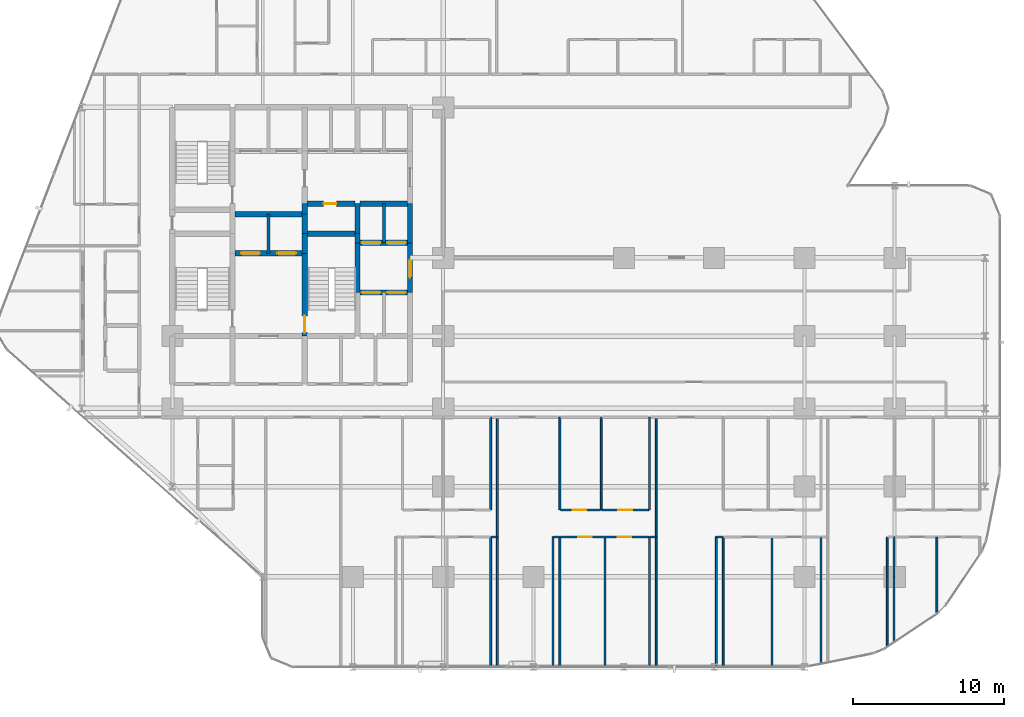
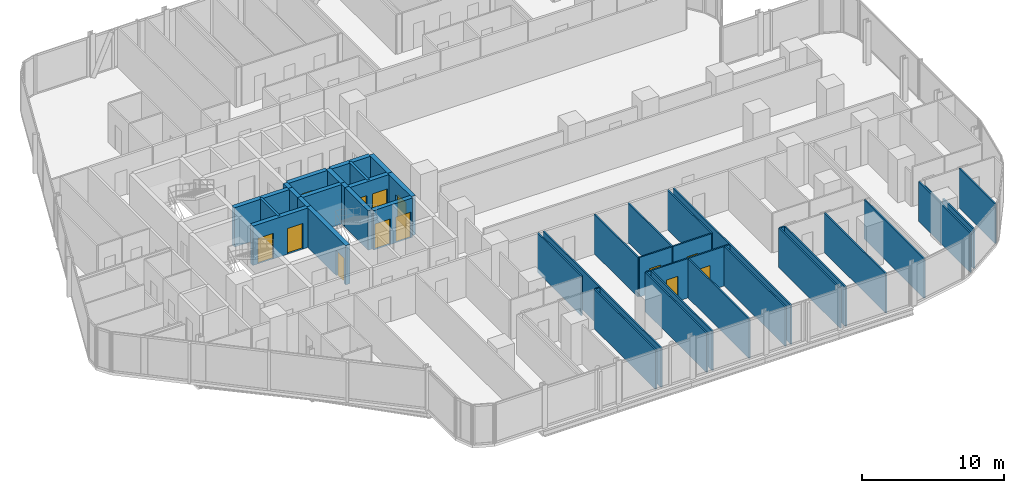
# One storey, part 28 of 34: 44 walls, 13 doors, 13 openings.
"""IFC4 building model written with IfcOpenShell, lengths in metres."""

from ifc_helpers import new_model, si_unit, direction, frame, frame_2d, origin, place, context, subcontext, project, spatial, rectangle, extrude, material, layer, layer_set, type_object, element, fill, save


model = new_model("IFC4")

# Units and contexts
model_context = context("Model", 3, precision=1e-05, world=origin(), true_north=direction((0.0, 1.0)))
body_context = subcontext(model_context, "Body", "Model", "MODEL_VIEW")
ifc_project = project(units=[si_unit("LENGTHUNIT", "METRE"), si_unit("AREAUNIT", "SQUARE_METRE"), si_unit("VOLUMEUNIT", "CUBIC_METRE"), si_unit("PLANEANGLEUNIT", "RADIAN"), si_unit("MASSUNIT", "GRAM", prefix="KILO")], contexts=[model_context])

# Site, building, storey
site_placement = place(None, origin())
site = spatial("IfcSite", under=ifc_project, at=site_placement, CompositionType="ELEMENT")
building_placement = place(site_placement, origin())
building = spatial("IfcBuilding", under=site, at=building_placement, Name="Keshet Zoharim Tower", CompositionType="ELEMENT")
storey_placement = place(building_placement, frame((0.0, 0.0, 38.800048828125)))
storey = spatial("IfcBuildingStorey", under=building, at=storey_placement, Name="L08", CompositionType="ELEMENT", Elevation=38.800048828125)

# Wall, opening, door
ifc_material_1 = material(Name="Concrete C60/75", Category="concrete")
ifc_layer_1 = layer(ifc_material_1, 0.35009765625)
ifc_layer_set_1 = layer_set([ifc_layer_1], Name="Concrete C60/75")
wall_type_1 = type_object("IfcWallType", Name="WL-CORE-350", PredefinedType="SHEAR", material=ifc_layer_set_1)
wall_1_placement = place(storey_placement, frame((23.800048828125, 22.699951171875, 0.0), z_axis=(0.0, 0.0, 1.0), x_axis=(0.0, 1.0, 0.0)))
wall_1 = element("IfcWall", 1, at=wall_1_placement, inside=storey, type_object=wall_type_1, Name="L08 Core Shear Wall 036", PredefinedType="SHEAR", context=body_context, shape_type="SweptSolid", body=[
    extrude(rectangle(XDim=5.5, YDim=0.35009765625, at=frame_2d((2.75, 0.0))), origin(), (0.0, 0.0, 1.0), 3.385009765625),
])
opening_1_placement = place(wall_1_placement, frame((0.235107421875, 0.0, 0.0)))
opening_1 = element("IfcOpeningElement", 2, at=opening_1_placement, cuts=wall_1, Name="Opening D-F611", PredefinedType="OPENING", context=body_context, shape_type="SweptSolid", body=[
    extrude(rectangle(XDim=1.10009765625, YDim=2.14990234375, at=frame_2d((0.550048828125, 1.074951171875))), frame((0.0, 0.18505859375, 0.0), z_axis=(0.0, -1.0, 0.0), x_axis=(1.0, 0.0, 0.0)), (0.0, 0.0, 1.0), 0.3701171875),
])
ifc_material_2 = material(Name="Hardwood Timber", Category="wood")
door_type_1 = type_object("IfcDoorType", Name="DR-FD60-110", OperationType="NOTDEFINED", PredefinedType="DOOR", material=ifc_material_2)
door_1_placement = place(opening_1_placement, frame((1.10009765625, 0.0, 0.0), z_axis=(0.0, 0.0, 1.0), x_axis=(-1.0, 0.0, 0.0)))
door_1 = element("IfcDoor", 3, at=door_1_placement, inside=storey, type_object=door_type_1, Name="L08 Exit Stair ST-03 Fire Door", OperationType="SINGLE_SWING_LEFT", OverallHeight=2.14990234375, OverallWidth=1.10009765625, PredefinedType="DOOR", context=body_context, shape_type="SweptSolid", body=[
    extrude(rectangle(XDim=1.10009765625, YDim=2.14990234375, at=frame_2d((0.550048828125, 1.074951171875))), frame((0.0, 0.02490234375, 0.0), z_axis=(0.0, -1.0, 0.0), x_axis=(1.0, 0.0, 0.0)), (0.0, 0.0, 1.0), 0.050048828125),
])
fill(opening_1, door_1)

# Walls
for number, where, z_axis, x_axis, name in (
    (4, (23.800048828125, 28.199951171875, 0.0), (0.0, 0.0, 1.0), (0.0, 1.0, 0.0), "L08 Core Shear Wall 037"),
    (5, (23.800048828125, 29.5, 0.0), (0.0, 0.0, 1.0), (0.0, 1.0, 0.0), "L08 Core Shear Wall 038"),
):
    element("IfcWall", number, at=place(storey_placement, frame(where, z_axis=z_axis, x_axis=x_axis)), inside=storey, type_object=wall_type_1, Name=name, PredefinedType="SHEAR", context=body_context, shape_type="SweptSolid", body=[
        extrude(rectangle(XDim=1.300048828125, YDim=0.35009765625, at=frame_2d((0.64990234375, 0.0))), origin(), (0.0, 0.0, 1.0), 3.385009765625),
    ])
wall_2_placement = place(storey_placement, frame((23.800048828125, 30.800048828125, 0.0), z_axis=(0.0, 0.0, 1.0), x_axis=(0.0, 1.0, 0.0)))
element("IfcWall", 6, at=wall_2_placement, inside=storey, type_object=wall_type_1, Name="L08 Core Shear Wall 039", PredefinedType="SHEAR", context=body_context, shape_type="SweptSolid", body=[
    extrude(rectangle(XDim=0.699951171875, YDim=0.35009765625, at=frame_2d((0.35009765625, 0.0))), origin(), (0.0, 0.0, 1.0), 3.385009765625),
])
wall_3_placement = place(storey_placement, frame((27.300048828125, 25.60009765625, 0.0), z_axis=(0.0, 0.0, 1.0), x_axis=(0.0, 1.0, 0.0)))
element("IfcWall", 7, at=wall_3_placement, inside=storey, type_object=wall_type_1, Name="L08 Core Shear Wall 047", PredefinedType="SHEAR", context=body_context, shape_type="SweptSolid", body=[
    extrude(rectangle(XDim=3.2998046875, YDim=0.35009765625, at=frame_2d((1.64990234375, 0.0))), origin(), (0.0, 0.0, 1.0), 3.385009765625),
])
wall_4_placement = place(storey_placement, frame((27.300048828125, 28.89990234375, 0.0), z_axis=(0.0, 0.0, 1.0), x_axis=(0.0, 1.0, 0.0)))
element("IfcWall", 8, at=wall_4_placement, inside=storey, type_object=wall_type_1, Name="L08 Core Shear Wall 048", PredefinedType="SHEAR", context=body_context, shape_type="SweptSolid", body=[
    extrude(rectangle(XDim=0.60009765625, YDim=0.35009765625, at=frame_2d((0.300048828125, 0.0))), origin(), (0.0, 0.0, 1.0), 3.385009765625),
])
wall_5_placement = place(storey_placement, frame((27.300048828125, 29.5, 0.0), z_axis=(0.0, 0.0, 1.0), x_axis=(0.0, 1.0, 0.0)))
element("IfcWall", 9, at=wall_5_placement, inside=storey, type_object=wall_type_1, Name="L08 Core Shear Wall 049", PredefinedType="SHEAR", context=body_context, shape_type="SweptSolid", body=[
    extrude(rectangle(XDim=2.0, YDim=0.35009765625, at=frame_2d((1.0, 0.0))), origin(), (0.0, 0.0, 1.0), 3.385009765625),
])

# Wall, opening, door
wall_6_placement = place(storey_placement, frame((30.800048828125, 25.60009765625, 0.0), z_axis=(0.0, 0.0, 1.0), x_axis=(0.0, 1.0, 0.0)))
wall_6 = element("IfcWall", 10, at=wall_6_placement, inside=storey, type_object=wall_type_1, Name="L08 Core Shear Wall 063", PredefinedType="SHEAR", context=body_context, shape_type="SweptSolid", body=[
    extrude(rectangle(XDim=3.2998046875, YDim=0.35009765625, at=frame_2d((1.64990234375, 0.0))), origin(), (0.0, 0.0, 1.0), 3.385009765625),
])
opening_2_placement = place(wall_6_placement, frame((0.97802734375, 0.0, 0.0)))
opening_2 = element("IfcOpeningElement", 11, at=opening_2_placement, cuts=wall_6, Name="Opening D-F612", PredefinedType="OPENING", context=body_context, shape_type="SweptSolid", body=[
    extrude(rectangle(XDim=1.199951171875, YDim=2.199951171875, at=frame_2d((0.60009765625, 1.10009765625))), frame((0.0, 0.18505859375, 0.0), z_axis=(0.0, -1.0, 0.0), x_axis=(1.0, 0.0, 0.0)), (0.0, 0.0, 1.0), 0.3701171875),
])
door_type_2 = type_object("IfcDoorType", Name="DR-FD60-120", OperationType="NOTDEFINED", PredefinedType="DOOR", material=ifc_material_2)
door_2_placement = place(opening_2_placement, origin())
door_2 = element("IfcDoor", 12, at=door_2_placement, inside=storey, type_object=door_type_2, Name="L08 East Lift Lobby Fire Door", OperationType="SINGLE_SWING_LEFT", OverallHeight=2.199951171875, OverallWidth=1.199951171875, PredefinedType="DOOR", context=body_context, shape_type="SweptSolid", body=[
    extrude(rectangle(XDim=1.199951171875, YDim=2.199951171875, at=frame_2d((0.60009765625, 1.10009765625))), frame((0.0, 0.02490234375, 0.0), z_axis=(0.0, -1.0, 0.0), x_axis=(1.0, 0.0, 0.0)), (0.0, 0.0, 1.0), 0.050048828125),
])
fill(opening_2, door_2)

# Wall
wall_7_placement = place(storey_placement, frame((30.800048828125, 28.89990234375, 0.0), z_axis=(0.0, 0.0, 1.0), x_axis=(0.0, 1.0, 0.0)))
element("IfcWall", 13, at=wall_7_placement, inside=storey, type_object=wall_type_1, Name="L08 Core Shear Wall 064", PredefinedType="SHEAR", context=body_context, shape_type="SweptSolid", body=[
    extrude(rectangle(XDim=2.60009765625, YDim=0.35009765625, at=frame_2d((1.300048828125, 0.0))), origin(), (0.0, 0.0, 1.0), 3.385009765625),
])

# Wall, openings, doors
wall_8_placement = place(storey_placement, frame((27.4599609375, 25.60009765625, 0.0), z_axis=(0.0, 0.0, 1.0), x_axis=(1.0, 0.0, 0.0)))
wall_8 = element("IfcWall", 14, at=wall_8_placement, inside=storey, type_object=wall_type_1, Name="L08 Core Shear Wall 174", PredefinedType="SHEAR", context=body_context, shape_type="SweptSolid", body=[
    extrude(rectangle(XDim=3.179931640625, YDim=0.35009765625, at=frame_2d((1.58984375, 0.0))), origin(), (0.0, 0.0, 1.0), 3.385009765625),
])
opening_3_placement = place(wall_8_placement, frame((0.1201171875, 0.0, 0.0)))
opening_3 = element("IfcOpeningElement", 15, at=opening_3_placement, cuts=wall_8, Name="Opening LD-01", PredefinedType="OPENING", context=body_context, shape_type="SweptSolid", body=[
    extrude(rectangle(XDim=1.25, YDim=2.199951171875, at=frame_2d((0.625, 1.10009765625))), frame((0.0, 0.18505859375, 0.0), z_axis=(0.0, -1.0, 0.0), x_axis=(1.0, 0.0, 0.0)), (0.0, 0.0, 1.0), 0.3701171875),
])
opening_4_placement = place(wall_8_placement, frame((1.81005859375, 0.0, 0.0)))
opening_4 = element("IfcOpeningElement", 16, at=opening_4_placement, cuts=wall_8, Name="Opening LD-01", PredefinedType="OPENING", context=body_context, shape_type="SweptSolid", body=[
    extrude(rectangle(XDim=1.25, YDim=2.199951171875, at=frame_2d((0.625, 1.10009765625))), frame((0.0, 0.18505859375, 0.0), z_axis=(0.0, -1.0, 0.0), x_axis=(1.0, 0.0, 0.0)), (0.0, 0.0, 1.0), 0.3701171875),
])
ifc_material_3 = material(Name="Steel S355", Category="steel")
door_type_3 = type_object("IfcDoorType", Name="DR-LD01-125", OperationType="DOUBLE_DOOR_SLIDING", PredefinedType="DOOR", material=ifc_material_3)
door_3_placement = place(opening_3_placement, origin())
door_3 = element("IfcDoor", 17, at=door_3_placement, inside=storey, type_object=door_type_3, Name="L08 Passenger Lift Landing Door LF-07", OperationType="DOUBLE_DOOR_SLIDING", OverallHeight=2.199951171875, OverallWidth=1.25, PredefinedType="DOOR", context=body_context, shape_type="SweptSolid", body=[
    extrude(rectangle(XDim=1.25, YDim=2.199951171875, at=frame_2d((0.625, 1.10009765625))), frame((0.0, 0.02490234375, 0.0), z_axis=(0.0, -1.0, 0.0), x_axis=(1.0, 0.0, 0.0)), (0.0, 0.0, 1.0), 0.050048828125),
])
fill(opening_3, door_3)
door_4_placement = place(opening_4_placement, origin())
door_4 = element("IfcDoor", 18, at=door_4_placement, inside=storey, type_object=door_type_3, Name="L08 Passenger Lift Landing Door LF-08", OperationType="DOUBLE_DOOR_SLIDING", OverallHeight=2.199951171875, OverallWidth=1.25, PredefinedType="DOOR", context=body_context, shape_type="SweptSolid", body=[
    extrude(rectangle(XDim=1.25, YDim=2.199951171875, at=frame_2d((0.625, 1.10009765625))), frame((0.0, 0.02490234375, 0.0), z_axis=(0.0, -1.0, 0.0), x_axis=(1.0, 0.0, 0.0)), (0.0, 0.0, 1.0), 0.050048828125),
])
fill(opening_4, door_4)

wall_9_placement = place(storey_placement, frame((19.159912109375, 28.199951171875, 0.0), z_axis=(0.0, 0.0, 1.0), x_axis=(1.0, 0.0, 0.0)))
wall_9 = element("IfcWall", 19, at=wall_9_placement, inside=storey, type_object=wall_type_1, Name="L08 Core Shear Wall 179", PredefinedType="SHEAR", context=body_context, shape_type="SweptSolid", body=[
    extrude(rectangle(XDim=4.47998046875, YDim=0.35009765625, at=frame_2d((2.239990234375, 0.0))), origin(), (0.0, 0.0, 1.0), 3.385009765625),
])
opening_5_placement = place(wall_9_placement, frame((0.4150390625, 0.0, 0.0)))
opening_5 = element("IfcOpeningElement", 20, at=opening_5_placement, cuts=wall_9, Name="Opening LD-01", PredefinedType="OPENING", context=body_context, shape_type="SweptSolid", body=[
    extrude(rectangle(XDim=1.25, YDim=2.199951171875, at=frame_2d((0.625, 1.10009765625))), frame((0.0, 0.18505859375, 0.0), z_axis=(0.0, -1.0, 0.0), x_axis=(1.0, 0.0, 0.0)), (0.0, 0.0, 1.0), 0.3701171875),
])
opening_6_placement = place(wall_9_placement, frame((2.81494140625, 0.0, 0.0)))
opening_6 = element("IfcOpeningElement", 21, at=opening_6_placement, cuts=wall_9, Name="Opening LD-01", PredefinedType="OPENING", context=body_context, shape_type="SweptSolid", body=[
    extrude(rectangle(XDim=1.25, YDim=2.199951171875, at=frame_2d((0.625, 1.10009765625))), frame((0.0, 0.18505859375, 0.0), z_axis=(0.0, -1.0, 0.0), x_axis=(1.0, 0.0, 0.0)), (0.0, 0.0, 1.0), 0.3701171875),
])
door_5_placement = place(opening_5_placement, origin())
door_5 = element("IfcDoor", 22, at=door_5_placement, inside=storey, type_object=door_type_3, Name="L08 Passenger Lift Landing Door LF-09", OperationType="DOUBLE_DOOR_SLIDING", OverallHeight=2.199951171875, OverallWidth=1.25, PredefinedType="DOOR", context=body_context, shape_type="SweptSolid", body=[
    extrude(rectangle(XDim=1.25, YDim=2.199951171875, at=frame_2d((0.625, 1.10009765625))), frame((0.0, 0.02490234375, 0.0), z_axis=(0.0, -1.0, 0.0), x_axis=(1.0, 0.0, 0.0)), (0.0, 0.0, 1.0), 0.050048828125),
])
fill(opening_5, door_5)
door_6_placement = place(opening_6_placement, origin())
door_6 = element("IfcDoor", 23, at=door_6_placement, inside=storey, type_object=door_type_3, Name="L08 Passenger Lift Landing Door LF-10", OperationType="DOUBLE_DOOR_SLIDING", OverallHeight=2.199951171875, OverallWidth=1.25, PredefinedType="DOOR", context=body_context, shape_type="SweptSolid", body=[
    extrude(rectangle(XDim=1.25, YDim=2.199951171875, at=frame_2d((0.625, 1.10009765625))), frame((0.0, 0.02490234375, 0.0), z_axis=(0.0, -1.0, 0.0), x_axis=(1.0, 0.0, 0.0)), (0.0, 0.0, 1.0), 0.050048828125),
])
fill(opening_6, door_6)

wall_10_placement = place(storey_placement, frame((27.4599609375, 28.89990234375, 0.0), z_axis=(0.0, 0.0, 1.0), x_axis=(1.0, 0.0, 0.0)))
wall_10 = element("IfcWall", 24, at=wall_10_placement, inside=storey, type_object=wall_type_1, Name="L08 Core Shear Wall 184", PredefinedType="SHEAR", context=body_context, shape_type="SweptSolid", body=[
    extrude(rectangle(XDim=3.179931640625, YDim=0.35009765625, at=frame_2d((1.58984375, 0.0))), origin(), (0.0, 0.0, 1.0), 3.385009765625),
])
opening_7_placement = place(wall_10_placement, frame((0.1201171875, 0.0, 0.0)))
opening_7 = element("IfcOpeningElement", 25, at=opening_7_placement, cuts=wall_10, Name="Opening LD-01", PredefinedType="OPENING", context=body_context, shape_type="SweptSolid", body=[
    extrude(rectangle(XDim=1.25, YDim=2.199951171875, at=frame_2d((0.625, 1.10009765625))), frame((0.0, 0.18505859375, 0.0), z_axis=(0.0, -1.0, 0.0), x_axis=(1.0, 0.0, 0.0)), (0.0, 0.0, 1.0), 0.3701171875),
])
opening_8_placement = place(wall_10_placement, frame((1.81005859375, 0.0, 0.0)))
opening_8 = element("IfcOpeningElement", 26, at=opening_8_placement, cuts=wall_10, Name="Opening LD-01", PredefinedType="OPENING", context=body_context, shape_type="SweptSolid", body=[
    extrude(rectangle(XDim=1.25, YDim=2.199951171875, at=frame_2d((0.625, 1.10009765625))), frame((0.0, 0.18505859375, 0.0), z_axis=(0.0, -1.0, 0.0), x_axis=(1.0, 0.0, 0.0)), (0.0, 0.0, 1.0), 0.3701171875),
])
door_7_placement = place(opening_7_placement, origin())
door_7 = element("IfcDoor", 27, at=door_7_placement, inside=storey, type_object=door_type_3, Name="L08 Passenger Lift Landing Door LF-05", OperationType="DOUBLE_DOOR_SLIDING", OverallHeight=2.199951171875, OverallWidth=1.25, PredefinedType="DOOR", context=body_context, shape_type="SweptSolid", body=[
    extrude(rectangle(XDim=1.25, YDim=2.199951171875, at=frame_2d((0.625, 1.10009765625))), frame((0.0, 0.02490234375, 0.0), z_axis=(0.0, -1.0, 0.0), x_axis=(1.0, 0.0, 0.0)), (0.0, 0.0, 1.0), 0.050048828125),
])
fill(opening_7, door_7)
door_8_placement = place(opening_8_placement, origin())
door_8 = element("IfcDoor", 28, at=door_8_placement, inside=storey, type_object=door_type_3, Name="L08 Passenger Lift Landing Door LF-06", OperationType="DOUBLE_DOOR_SLIDING", OverallHeight=2.199951171875, OverallWidth=1.25, PredefinedType="DOOR", context=body_context, shape_type="SweptSolid", body=[
    extrude(rectangle(XDim=1.25, YDim=2.199951171875, at=frame_2d((0.625, 1.10009765625))), frame((0.0, 0.02490234375, 0.0), z_axis=(0.0, -1.0, 0.0), x_axis=(1.0, 0.0, 0.0)), (0.0, 0.0, 1.0), 0.050048828125),
])
fill(opening_8, door_8)

# Walls
wall_11_placement = place(storey_placement, frame((23.9599609375, 29.5, 0.0), z_axis=(0.0, 0.0, 1.0), x_axis=(1.0, 0.0, 0.0)))
element("IfcWall", 29, at=wall_11_placement, inside=storey, type_object=wall_type_1, Name="L08 Core Shear Wall 186", PredefinedType="SHEAR", context=body_context, shape_type="SweptSolid", body=[
    extrude(rectangle(XDim=3.179931640625, YDim=0.35009765625, at=frame_2d((1.58984375, 0.0))), origin(), (0.0, 0.0, 1.0), 3.385009765625),
])
wall_12_placement = place(storey_placement, frame((19.159912109375, 30.800048828125, 0.0), z_axis=(0.0, 0.0, 1.0), x_axis=(1.0, 0.0, 0.0)))
element("IfcWall", 30, at=wall_12_placement, inside=storey, type_object=wall_type_1, Name="L08 Core Shear Wall 187", PredefinedType="SHEAR", context=body_context, shape_type="SweptSolid", body=[
    extrude(rectangle(XDim=4.47998046875, YDim=0.35009765625, at=frame_2d((2.239990234375, 0.0))), origin(), (0.0, 0.0, 1.0), 3.385009765625),
])

# Wall, opening, door
wall_13_placement = place(storey_placement, frame((23.9599609375, 31.5, 0.0), z_axis=(0.0, 0.0, 1.0), x_axis=(1.0, 0.0, 0.0)))
wall_13 = element("IfcWall", 31, at=wall_13_placement, inside=storey, type_object=wall_type_1, Name="L08 Core Shear Wall 191", PredefinedType="SHEAR", context=body_context, shape_type="SweptSolid", body=[
    extrude(rectangle(XDim=3.179931640625, YDim=0.35009765625, at=frame_2d((1.58984375, 0.0))), origin(), (0.0, 0.0, 1.0), 3.385009765625),
])
opening_9_placement = place(wall_13_placement, frame((1.093994140625, 0.0, 0.0)))
opening_9 = element("IfcOpeningElement", 32, at=opening_9_placement, cuts=wall_13, Name="Opening D-RS85", PredefinedType="OPENING", context=body_context, shape_type="SweptSolid", body=[
    extrude(rectangle(XDim=0.85009765625, YDim=2.10009765625, at=frame_2d((0.425048828125, 1.050048828125))), frame((0.0, 0.18505859375, 0.0), z_axis=(0.0, -1.0, 0.0), x_axis=(1.0, 0.0, 0.0)), (0.0, 0.0, 1.0), 0.3701171875),
])
door_type_4 = type_object("IfcDoorType", Name="DR-RIS-085", OperationType="NOTDEFINED", PredefinedType="DOOR", material=ifc_material_2)
door_9_placement = place(opening_9_placement, origin())
door_9 = element("IfcDoor", 33, at=door_9_placement, inside=storey, type_object=door_type_4, Name="L08 Telecom Riser Access Cupboard Door", OperationType="SINGLE_SWING_LEFT", OverallHeight=2.10009765625, OverallWidth=0.85009765625, PredefinedType="DOOR", context=body_context, shape_type="SweptSolid", body=[
    extrude(rectangle(XDim=0.85009765625, YDim=2.10009765625, at=frame_2d((0.425048828125, 1.050048828125))), frame((0.0, 0.02490234375, 0.0), z_axis=(0.0, -1.0, 0.0), x_axis=(1.0, 0.0, 0.0)), (0.0, 0.0, 1.0), 0.050048828125),
])
fill(opening_9, door_9)

# Walls
wall_14_placement = place(storey_placement, frame((27.4599609375, 31.5, 0.0), z_axis=(0.0, 0.0, 1.0), x_axis=(1.0, 0.0, 0.0)))
element("IfcWall", 34, at=wall_14_placement, inside=storey, type_object=wall_type_1, Name="L08 Core Shear Wall 192", PredefinedType="SHEAR", context=body_context, shape_type="SweptSolid", body=[
    extrude(rectangle(XDim=3.179931640625, YDim=0.35009765625, at=frame_2d((1.58984375, 0.0))), origin(), (0.0, 0.0, 1.0), 3.385009765625),
])
ifc_material_4 = material(Name="Concrete C50/60", Category="concrete")
ifc_layer_2 = layer(ifc_material_4, 0.199951171875)
ifc_layer_set_2 = layer_set([ifc_layer_2], Name="Concrete C50/60")
wall_type_2 = type_object("IfcWallType", Name="WL-FIRE-200", PredefinedType="STANDARD", material=ifc_layer_set_2)
for number, where, z_axis, x_axis, name in (
    (35, (21.39990234375, 28.199951171875, 0.0), (0.0, 0.0, 1.0), (0.0, 1.0, 0.0), "L08 Interior Wall 031"),
    (36, (29.050048828125, 28.89990234375, 0.0), (0.0, 0.0, 1.0), (0.0, 1.0, 0.0), "L08 Interior Wall 056"),
):
    element("IfcWall", number, at=place(storey_placement, frame(where, z_axis=z_axis, x_axis=x_axis)), inside=storey, type_object=wall_type_2, Name=name, PredefinedType="STANDARD", context=body_context, shape_type="SweptSolid", body=[
        extrude(rectangle(XDim=2.60009765625, YDim=0.199951171875, at=frame_2d((1.300048828125, 0.0))), origin(), (0.0, 0.0, 1.0), 3.385009765625),
    ])
ifc_material_5 = material(Name="Gypsum Plasterboard", Category="gypsum")
ifc_layer_3 = layer(ifc_material_5, 0.1201171875)
ifc_layer_set_3 = layer_set([ifc_layer_3], Name="Gypsum Plasterboard")
wall_type_3 = type_object("IfcWallType", Name="WL-PART-120", PredefinedType="PARTITIONING", material=ifc_layer_set_3)
wall_15_placement = place(storey_placement, frame((36.14990234375, 0.7099609375, 0.0), z_axis=(0.0, 0.0, 1.0), x_axis=(0.0, 1.0, 0.0)))
element("IfcWall", 37, at=wall_15_placement, inside=storey, type_object=wall_type_3, Name="L08 Interior Wall 076", PredefinedType="PARTITIONING", context=body_context, shape_type="SweptSolid", body=[
    extrude(rectangle(XDim=8.64013671875, YDim=0.1201171875, at=frame_2d((4.320068359375, 0.0))), origin(), (0.0, 0.0, 1.0), 3.385009765625),
])
wall_16_placement = place(storey_placement, frame((36.60009765625, 0.7099609375, 0.0), z_axis=(0.0, 0.0, 1.0), x_axis=(0.0, 1.0, 0.0)))
element("IfcWall", 38, at=wall_16_placement, inside=storey, type_object=wall_type_3, Name="L08 Interior Wall 079", PredefinedType="PARTITIONING", context=body_context, shape_type="SweptSolid", body=[
    extrude(rectangle(XDim=16.590087890625, YDim=0.1201171875, at=frame_2d((8.294921875, 0.0))), origin(), (0.0, 0.0, 1.0), 3.385009765625),
])
for number, where, z_axis, x_axis, name in (
    (39, (40.300048828125, 0.7099609375, 0.0), (0.0, 0.0, 1.0), (0.0, 1.0, 0.0), "L08 Interior Wall 080"),
    (40, (40.75, 0.7099609375, 0.0), (0.0, 0.0, 1.0), (0.0, 1.0, 0.0), "L08 Interior Wall 081"),
):
    element("IfcWall", number, at=place(storey_placement, frame(where, z_axis=z_axis, x_axis=x_axis)), inside=storey, type_object=wall_type_3, Name=name, PredefinedType="PARTITIONING", context=body_context, shape_type="SweptSolid", body=[
        extrude(rectangle(XDim=8.64013671875, YDim=0.1201171875, at=frame_2d((4.320068359375, 0.0))), origin(), (0.0, 0.0, 1.0), 3.385009765625),
    ])
wall_17_placement = place(storey_placement, frame((40.75, 11.14990234375, 0.0), z_axis=(0.0, 0.0, 1.0), x_axis=(0.0, 1.0, 0.0)))
element("IfcWall", 41, at=wall_17_placement, inside=storey, type_object=wall_type_3, Name="L08 Interior Wall 082", PredefinedType="PARTITIONING", context=body_context, shape_type="SweptSolid", body=[
    extrude(rectangle(XDim=6.150146484375, YDim=0.1201171875, at=frame_2d((3.0751953125, 0.0))), origin(), (0.0, 0.0, 1.0), 3.385009765625),
])
for number, where, z_axis, x_axis, name in (
    (42, (43.75, 0.7099609375, 0.0), (0.0, 0.0, 1.0), (0.0, 1.0, 0.0), "L08 Interior Wall 088"),
    (43, (46.699951171875, 0.7099609375, 0.0), (0.0, 0.0, 1.0), (0.0, 1.0, 0.0), "L08 Interior Wall 091"),
):
    element("IfcWall", number, at=place(storey_placement, frame(where, z_axis=z_axis, x_axis=x_axis)), inside=storey, type_object=wall_type_3, Name=name, PredefinedType="PARTITIONING", context=body_context, shape_type="SweptSolid", body=[
        extrude(rectangle(XDim=8.64013671875, YDim=0.1201171875, at=frame_2d((4.320068359375, 0.0))), origin(), (0.0, 0.0, 1.0), 3.385009765625),
    ])
wall_18_placement = place(storey_placement, frame((47.14990234375, 0.7099609375, 0.0), z_axis=(0.0, 0.0, 1.0), x_axis=(0.0, 1.0, 0.0)))
element("IfcWall", 44, at=wall_18_placement, inside=storey, type_object=wall_type_3, Name="L08 Interior Wall 093", PredefinedType="PARTITIONING", context=body_context, shape_type="SweptSolid", body=[
    extrude(rectangle(XDim=16.590087890625, YDim=0.1201171875, at=frame_2d((8.294921875, 0.0))), origin(), (0.0, 0.0, 1.0), 3.385009765625),
])
for number, where, z_axis, x_axis, name in (
    (45, (51.14990234375, 0.7099609375, 0.0), (0.0, 0.0, 1.0), (0.0, 1.0, 0.0), "L08 Interior Wall 097"),
    (46, (51.60009765625, 0.7099609375, 0.0), (0.0, 0.0, 1.0), (0.0, 1.0, 0.0), "L08 Interior Wall 098"),
    (47, (54.85009765625, 0.7099609375, 0.0), (0.0, 0.0, 1.0), (0.0, 1.0, 0.0), "L08 Interior Wall 103"),
):
    element("IfcWall", number, at=place(storey_placement, frame(where, z_axis=z_axis, x_axis=x_axis)), inside=storey, type_object=wall_type_3, Name=name, PredefinedType="PARTITIONING", context=body_context, shape_type="SweptSolid", body=[
        extrude(rectangle(XDim=8.64013671875, YDim=0.1201171875, at=frame_2d((4.320068359375, 0.0))), origin(), (0.0, 0.0, 1.0), 3.385009765625),
    ])
wall_19_placement = place(storey_placement, frame((58.10009765625, 0.927978515625, 0.0), z_axis=(0.0, 0.0, 1.0), x_axis=(0.0, 1.0, 0.0)))
element("IfcWall", 48, at=wall_19_placement, inside=storey, type_object=wall_type_3, Name="L08 Interior Wall 106", PredefinedType="PARTITIONING", context=body_context, shape_type="SweptSolid", body=[
    extrude(rectangle(XDim=8.422119140625, YDim=0.1201171875, at=frame_2d((4.2109375, 0.0))), origin(), (0.0, 0.0, 1.0), 3.385009765625),
])
wall_20_placement = place(storey_placement, frame((62.5, 2.051025390625, 0.0), z_axis=(0.0, 0.0, 1.0), x_axis=(0.0, 1.0, 0.0)))
element("IfcWall", 49, at=wall_20_placement, inside=storey, type_object=wall_type_3, Name="L08 Interior Wall 110", PredefinedType="PARTITIONING", context=body_context, shape_type="SweptSolid", body=[
    extrude(rectangle(XDim=7.299072265625, YDim=0.1201171875, at=frame_2d((3.6494140625, 0.0))), origin(), (0.0, 0.0, 1.0), 3.385009765625),
])
wall_21_placement = place(storey_placement, frame((62.949951171875, 2.35107421875, 0.0), z_axis=(0.0, 0.0, 1.0), x_axis=(0.0, 1.0, 0.0)))
element("IfcWall", 50, at=wall_21_placement, inside=storey, type_object=wall_type_3, Name="L08 Interior Wall 111", PredefinedType="PARTITIONING", context=body_context, shape_type="SweptSolid", body=[
    extrude(rectangle(XDim=4.348876953125, YDim=0.1201171875, at=frame_2d((2.17431640625, 0.0))), origin(), (0.0, 0.0, 1.0), 3.385009765625),
])
wall_22_placement = place(storey_placement, frame((65.800048828125, 4.256103515625, 0.0), z_axis=(0.0, 0.0, 1.0), x_axis=(0.0, 1.0, 0.0)))
element("IfcWall", 51, at=wall_22_placement, inside=storey, type_object=wall_type_3, Name="L08 Interior Wall 115", PredefinedType="PARTITIONING", context=body_context, shape_type="SweptSolid", body=[
    extrude(rectangle(XDim=5.093994140625, YDim=0.1201171875, at=frame_2d((2.546875, 0.0))), origin(), (0.0, 0.0, 1.0), 3.385009765625),
])
wall_23_placement = place(storey_placement, frame((36.215087890625, 9.35009765625, 0.0), z_axis=(0.0, 0.0, 1.0), x_axis=(1.0, 0.0, 0.0)))
element("IfcWall", 52, at=wall_23_placement, inside=storey, type_object=wall_type_3, Name="L08 Interior Wall 121", PredefinedType="PARTITIONING", context=body_context, shape_type="SweptSolid", body=[
    extrude(rectangle(XDim=0.35986328125, YDim=0.1201171875, at=frame_2d((0.179931640625, 0.0))), origin(), (0.0, 0.0, 1.0), 3.385009765625),
])
wall_24_placement = place(storey_placement, frame((40.35498046875, 9.35009765625, 0.0), z_axis=(0.0, 0.0, 1.0), x_axis=(1.0, 0.0, 0.0)))
element("IfcWall", 53, at=wall_24_placement, inside=storey, type_object=wall_type_3, Name="L08 Interior Wall 122", PredefinedType="PARTITIONING", context=body_context, shape_type="SweptSolid", body=[
    extrude(rectangle(XDim=0.360107421875, YDim=0.1201171875, at=frame_2d((0.18017578125, 0.0))), origin(), (0.0, 0.0, 1.0), 3.385009765625),
])

# Wall, openings, doors
wall_25_placement = place(storey_placement, frame((40.804931640625, 9.35009765625, 0.0), z_axis=(0.0, 0.0, 1.0), x_axis=(1.0, 0.0, 0.0)))
wall_25 = element("IfcWall", 54, at=wall_25_placement, inside=storey, type_object=wall_type_3, Name="L08 Interior Wall 123", PredefinedType="PARTITIONING", context=body_context, shape_type="SweptSolid", body=[
    extrude(rectangle(XDim=5.85009765625, YDim=0.1201171875, at=frame_2d((2.925048828125, 0.0))), origin(), (0.0, 0.0, 1.0), 3.385009765625),
])
opening_10_placement = place(wall_25_placement, frame((1.1650390625, 0.0, 0.0)))
opening_10 = element("IfcOpeningElement", 55, at=opening_10_placement, cuts=wall_25, Name="Opening D-IN90", PredefinedType="OPENING", context=body_context, shape_type="SweptSolid", body=[
    extrude(rectangle(XDim=0.89990234375, YDim=2.14990234375, at=frame_2d((0.449951171875, 1.074951171875))), frame((0.0, 0.070068359375, 0.0), z_axis=(0.0, -1.0, 0.0), x_axis=(1.0, 0.0, 0.0)), (0.0, 0.0, 1.0), 0.14013671875),
])
opening_11_placement = place(wall_25_placement, frame((3.784912109375, 0.0, 0.0)))
opening_11 = element("IfcOpeningElement", 56, at=opening_11_placement, cuts=wall_25, Name="Opening D-IN90", PredefinedType="OPENING", context=body_context, shape_type="SweptSolid", body=[
    extrude(rectangle(XDim=0.89990234375, YDim=2.14990234375, at=frame_2d((0.449951171875, 1.074951171875))), frame((0.0, 0.070068359375, 0.0), z_axis=(0.0, -1.0, 0.0), x_axis=(1.0, 0.0, 0.0)), (0.0, 0.0, 1.0), 0.14013671875),
])
door_type_5 = type_object("IfcDoorType", Name="DR-INT-090", OperationType="NOTDEFINED", PredefinedType="DOOR", material=ifc_material_2)
door_10_placement = place(opening_10_placement, origin())
door_10 = element("IfcDoor", 57, at=door_10_placement, inside=storey, type_object=door_type_5, Name="Apartment 0803 Bedroom 1 Door", OperationType="SINGLE_SWING_LEFT", OverallHeight=2.14990234375, OverallWidth=0.89990234375, PredefinedType="DOOR", context=body_context, shape_type="SweptSolid", body=[
    extrude(rectangle(XDim=0.89990234375, YDim=2.14990234375, at=frame_2d((0.449951171875, 1.074951171875))), frame((0.0, 0.02490234375, 0.0), z_axis=(0.0, -1.0, 0.0), x_axis=(1.0, 0.0, 0.0)), (0.0, 0.0, 1.0), 0.050048828125),
])
fill(opening_10, door_10)
door_11_placement = place(opening_11_placement, origin())
door_11 = element("IfcDoor", 58, at=door_11_placement, inside=storey, type_object=door_type_5, Name="Apartment 0803 Bedroom 2 Door", OperationType="SINGLE_SWING_RIGHT", OverallHeight=2.14990234375, OverallWidth=0.89990234375, PredefinedType="DOOR", context=body_context, shape_type="SweptSolid", body=[
    extrude(rectangle(XDim=0.89990234375, YDim=2.14990234375, at=frame_2d((0.449951171875, 1.074951171875))), frame((0.0, 0.02490234375, 0.0), z_axis=(0.0, -1.0, 0.0), x_axis=(1.0, 0.0, 0.0)), (0.0, 0.0, 1.0), 0.050048828125),
])
fill(opening_11, door_11)

# Walls
for number, where, z_axis, x_axis, name in (
    (59, (46.7451171875, 9.35009765625, 0.0), (0.0, 0.0, 1.0), (1.0, 0.0, 0.0), "L08 Interior Wall 124"),
    (60, (51.18505859375, 9.35009765625, 0.0), (0.0, 0.0, 1.0), (1.0, 0.0, 0.0), "L08 Interior Wall 125"),
):
    element("IfcWall", number, at=place(storey_placement, frame(where, z_axis=z_axis, x_axis=x_axis)), inside=storey, type_object=wall_type_3, Name=name, PredefinedType="PARTITIONING", context=body_context, shape_type="SweptSolid", body=[
        extrude(rectangle(XDim=0.35986328125, YDim=0.1201171875, at=frame_2d((0.179931640625, 0.0))), origin(), (0.0, 0.0, 1.0), 3.385009765625),
    ])

# Wall, opening, door
wall_26_placement = place(storey_placement, frame((40.804931640625, 11.14990234375, 0.0), z_axis=(0.0, 0.0, 1.0), x_axis=(1.0, 0.0, 0.0)))
wall_26 = element("IfcWall", 61, at=wall_26_placement, inside=storey, type_object=wall_type_3, Name="L08 Interior Wall 132", PredefinedType="PARTITIONING", context=body_context, shape_type="SweptSolid", body=[
    extrude(rectangle(XDim=2.64208984375, YDim=0.1201171875, at=frame_2d((1.321044921875, 0.0))), origin(), (0.0, 0.0, 1.0), 3.385009765625),
])
opening_12_placement = place(wall_26_placement, frame((0.798095703125, 0.0, 0.0)))
opening_12 = element("IfcOpeningElement", 62, at=opening_12_placement, cuts=wall_26, Name="Opening D-IN90", PredefinedType="OPENING", context=body_context, shape_type="SweptSolid", body=[
    extrude(rectangle(XDim=0.89990234375, YDim=2.14990234375, at=frame_2d((0.449951171875, 1.074951171875))), frame((0.0, 0.070068359375, 0.0), z_axis=(0.0, -1.0, 0.0), x_axis=(1.0, 0.0, 0.0)), (0.0, 0.0, 1.0), 0.14013671875),
])
door_12_placement = place(opening_12_placement, origin())
door_12 = element("IfcDoor", 63, at=door_12_placement, inside=storey, type_object=door_type_5, Name="Apartment 0803 Kitchen Door", OperationType="SINGLE_SWING_LEFT", OverallHeight=2.14990234375, OverallWidth=0.89990234375, PredefinedType="DOOR", context=body_context, shape_type="SweptSolid", body=[
    extrude(rectangle(XDim=0.89990234375, YDim=2.14990234375, at=frame_2d((0.449951171875, 1.074951171875))), frame((0.0, 0.02490234375, 0.0), z_axis=(0.0, -1.0, 0.0), x_axis=(1.0, 0.0, 0.0)), (0.0, 0.0, 1.0), 0.050048828125),
])
fill(opening_12, door_12)

# Walls
wall_27_placement = place(storey_placement, frame((62.949951171875, 6.699951171875, 0.0), z_axis=(0.0, 0.0, 1.0), x_axis=(0.0, 1.0, 0.0)))
element("IfcWall", 64, at=wall_27_placement, inside=storey, type_object=wall_type_3, Name="L08 Interior Wall 111 Part 2", PredefinedType="PARTITIONING", context=body_context, shape_type="SweptSolid", body=[
    extrude(rectangle(XDim=2.650146484375, YDim=0.1201171875, at=frame_2d((1.3251953125, 0.0))), origin(), (0.0, 0.0, 1.0), 2.885009765625),
])
ifc_layer_4 = layer(ifc_material_5, 0.1201171875)
ifc_layer_set_4 = layer_set([ifc_layer_4], Name="Gypsum Plasterboard")
wall_type_4 = type_object("IfcWallType", Name="WL-WET-120", PredefinedType="PARTITIONING", material=ifc_layer_set_4)
for number, where, z_axis, x_axis, name in (
    (65, (36.14990234375, 11.14990234375, 0.0), (0.0, 0.0, 1.0), (0.0, 1.0, 0.0), "L08 Interior Wall 077"),
    (66, (43.5, 11.14990234375, 0.0), (0.0, 0.0, 1.0), (0.0, 1.0, 0.0), "L08 Interior Wall 086"),
    (67, (46.699951171875, 11.14990234375, 0.0), (0.0, 0.0, 1.0), (0.0, 1.0, 0.0), "L08 Interior Wall 092"),
):
    element("IfcWall", number, at=place(storey_placement, frame(where, z_axis=z_axis, x_axis=x_axis)), inside=storey, type_object=wall_type_4, Name=name, PredefinedType="PARTITIONING", context=body_context, shape_type="SweptSolid", body=[
        extrude(rectangle(XDim=6.150146484375, YDim=0.1201171875, at=frame_2d((3.0751953125, 0.0))), origin(), (0.0, 0.0, 1.0), 3.385009765625),
    ])

# Wall, opening, door
wall_28_placement = place(storey_placement, frame((43.537109375, 11.14990234375, 0.0), z_axis=(0.0, 0.0, 1.0), x_axis=(1.0, 0.0, 0.0)))
wall_28 = element("IfcWall", 68, at=wall_28_placement, inside=storey, type_object=wall_type_4, Name="L08 Interior Wall 133", PredefinedType="PARTITIONING", context=body_context, shape_type="SweptSolid", body=[
    extrude(rectangle(XDim=3.117919921875, YDim=0.1201171875, at=frame_2d((1.55908203125, 0.0))), origin(), (0.0, 0.0, 1.0), 3.385009765625),
])
opening_13_placement = place(wall_28_placement, frame((1.10888671875, 0.0, 0.0)))
opening_13 = element("IfcOpeningElement", 69, at=opening_13_placement, cuts=wall_28, Name="Opening D-WT90", PredefinedType="OPENING", context=body_context, shape_type="SweptSolid", body=[
    extrude(rectangle(XDim=0.89990234375, YDim=2.10009765625, at=frame_2d((0.449951171875, 1.050048828125))), frame((0.0, 0.070068359375, 0.0), z_axis=(0.0, -1.0, 0.0), x_axis=(1.0, 0.0, 0.0)), (0.0, 0.0, 1.0), 0.14013671875),
])
door_type_6 = type_object("IfcDoorType", Name="DR-WET-090", OperationType="NOTDEFINED", PredefinedType="DOOR", material=ifc_material_2)
door_13_placement = place(opening_13_placement, origin())
door_13 = element("IfcDoor", 70, at=door_13_placement, inside=storey, type_object=door_type_6, Name="Apartment 0803 Bathroom Door", OperationType="SINGLE_SWING_RIGHT", OverallHeight=2.10009765625, OverallWidth=0.89990234375, PredefinedType="DOOR", context=body_context, shape_type="SweptSolid", body=[
    extrude(rectangle(XDim=0.89990234375, YDim=2.10009765625, at=frame_2d((0.449951171875, 1.050048828125))), frame((0.0, 0.02490234375, 0.0), z_axis=(0.0, -1.0, 0.0), x_axis=(1.0, 0.0, 0.0)), (0.0, 0.0, 1.0), 0.050048828125),
])
fill(opening_13, door_13)

save(model, "model.ifc")
